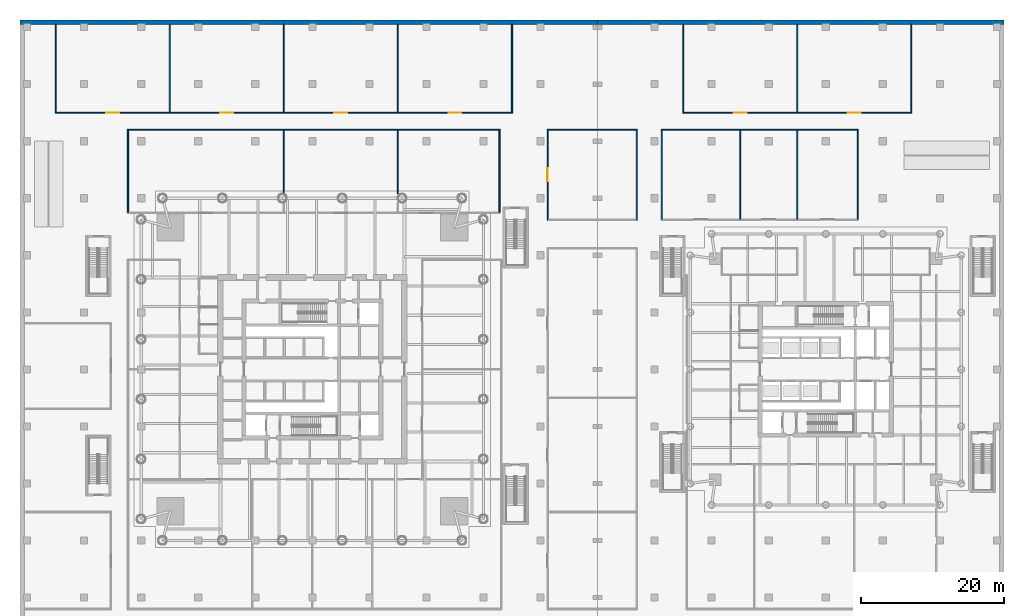
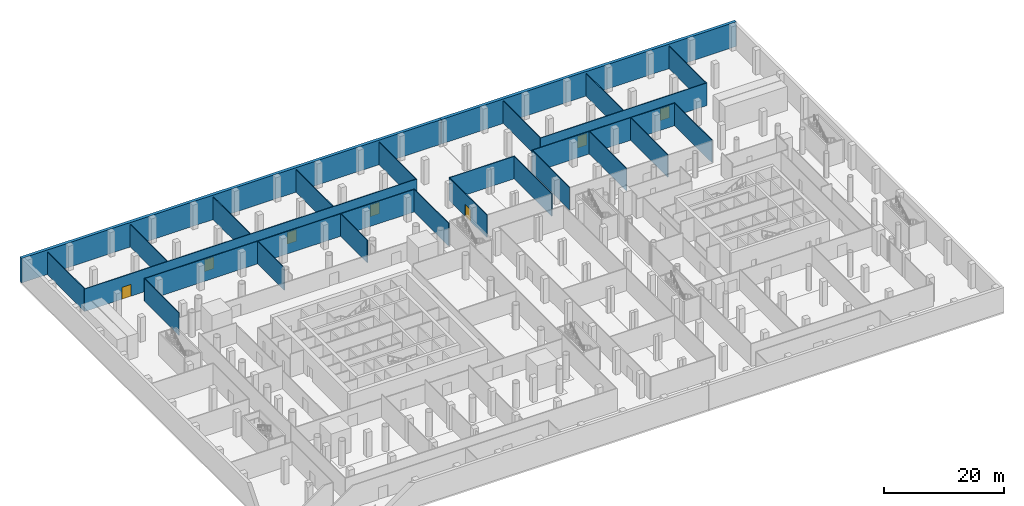
# One storey, part 15 of 22: 25 walls, 7 doors, 7 openings.
"""IFC4 building model written with IfcOpenShell, lengths in metres."""

from ifc_helpers import new_model, si_unit, direction, frame, frame_2d, origin, place, context, subcontext, project, spatial, rectangle, extrude, material, layer, layer_set, type_object, element, fill, save


model = new_model("IFC4")

# Units and contexts
model_context = context("Model", 3, precision=1e-05, world=origin(), true_north=direction((0.0, 1.0)))
body_context = subcontext(model_context, "Body", "Model", "MODEL_VIEW")
ifc_project = project(units=[si_unit("LENGTHUNIT", "METRE"), si_unit("AREAUNIT", "SQUARE_METRE"), si_unit("VOLUMEUNIT", "CUBIC_METRE"), si_unit("PLANEANGLEUNIT", "RADIAN"), si_unit("MASSUNIT", "GRAM", prefix="KILO")], contexts=[model_context])

# Site, building, storey
site_placement = place(None, origin())
site = spatial("IfcSite", under=ifc_project, at=site_placement, CompositionType="ELEMENT")
building_placement = place(site_placement, origin())
building = spatial("IfcBuilding", under=site, at=building_placement, Name="Ostroluk Exchange", CompositionType="ELEMENT")
storey_placement = place(building_placement, frame((0.0, 0.0, -5.0)))
storey = spatial("IfcBuildingStorey", under=building, at=storey_placement, Name="B1", CompositionType="ELEMENT", Elevation=-5.0)

# Walls
ifc_material_1 = material(Name="Concrete C35/45", Category="concrete")
ifc_layer_1 = layer(ifc_material_1, 0.60009765625)
ifc_layer_set_1 = layer_set([ifc_layer_1], Name="Basement retaining wall 600")
wall_type_1 = type_object("IfcWallType", Name="Basement retaining wall 600", PredefinedType="USERDEFINED", material=ifc_layer_set_1)
wall_1_placement = place(storey_placement, frame((4.0, 94.699951171875, 0.0), z_axis=(0.0, 0.0, 1.0), x_axis=(1.0, 0.0, 0.0)))
element("IfcWall", 1, at=wall_1_placement, inside=storey, type_object=wall_type_1, Name="Retaining wall B1 NW", ObjectType="RETAINING WALL", PredefinedType="USERDEFINED", context=body_context, shape_type="SweptSolid", body=[
    extrude(rectangle(XDim=80.97509765625, YDim=0.60009765625, at=frame_2d((40.487548828125, 0.0))), origin(), (0.0, 0.0, 1.0), 5.0),
])
wall_2_placement = place(storey_placement, frame((85.02490234375, 94.699951171875, 0.0), z_axis=(0.0, 0.0, 1.0), x_axis=(1.0, 0.0, 0.0)))
element("IfcWall", 2, at=wall_2_placement, inside=storey, type_object=wall_type_1, Name="Retaining wall B1 NE", ObjectType="RETAINING WALL", PredefinedType="USERDEFINED", context=body_context, shape_type="SweptSolid", body=[
    extrude(rectangle(XDim=56.97509765625, YDim=0.60009765625, at=frame_2d((28.487548828125, 0.0))), origin(), (0.0, 0.0, 1.0), 5.0),
])

# Wall, openings, doors
ifc_material_2 = material(Name="Gypsum plasterboard partition", Category="gypsum")
ifc_layer_2 = layer(ifc_material_2, 0.14990234375)
ifc_layer_set_2 = layer_set([ifc_layer_2], Name="Plasterboard partition 150")
wall_type_2 = type_object("IfcWallType", Name="Plasterboard partition 150", PredefinedType="PARTITIONING", material=ifc_layer_set_2)
wall_3_placement = place(storey_placement, frame((8.925048828125, 82.0, 0.0), z_axis=(0.0, 0.0, 1.0), x_axis=(1.0, 0.0, 0.0)))
wall_3 = element("IfcWall", 3, at=wall_3_placement, inside=storey, type_object=wall_type_2, Name="Partition", PredefinedType="PARTITIONING", context=body_context, shape_type="SweptSolid", body=[
    extrude(rectangle(XDim=64.14990234375, YDim=0.14990234375, at=frame_2d((32.074951171875, 0.0))), origin(), (0.0, 0.0, 1.0), 4.60009765625),
])
opening_1_placement = place(wall_3_placement, frame((7.175048828125, 0.0, 0.0)))
opening_1 = element("IfcOpeningElement", 4, at=opening_1_placement, cuts=wall_3, Name="Opening D-04", PredefinedType="OPENING", context=body_context, shape_type="SweptSolid", body=[
    extrude(rectangle(XDim=1.800048828125, YDim=2.39990234375, at=frame_2d((0.89990234375, 1.199951171875))), frame((0.0, 0.0849609375, 0.0), z_axis=(0.0, -1.0, 0.0), x_axis=(1.0, 0.0, 0.0)), (0.0, 0.0, 1.0), 0.169921875),
])
opening_2_placement = place(wall_3_placement, frame((23.175048828125, 0.0, 0.0)))
opening_2 = element("IfcOpeningElement", 5, at=opening_2_placement, cuts=wall_3, Name="Opening D-04", PredefinedType="OPENING", context=body_context, shape_type="SweptSolid", body=[
    extrude(rectangle(XDim=1.800048828125, YDim=2.39990234375, at=frame_2d((0.89990234375, 1.199951171875))), frame((0.0, 0.0849609375, 0.0), z_axis=(0.0, -1.0, 0.0), x_axis=(1.0, 0.0, 0.0)), (0.0, 0.0, 1.0), 0.169921875),
])
opening_3_placement = place(wall_3_placement, frame((39.175048828125, 0.0, 0.0)))
opening_3 = element("IfcOpeningElement", 6, at=opening_3_placement, cuts=wall_3, Name="Opening D-04", PredefinedType="OPENING", context=body_context, shape_type="SweptSolid", body=[
    extrude(rectangle(XDim=1.800048828125, YDim=2.39990234375, at=frame_2d((0.89990234375, 1.199951171875))), frame((0.0, 0.0849609375, 0.0), z_axis=(0.0, -1.0, 0.0), x_axis=(1.0, 0.0, 0.0)), (0.0, 0.0, 1.0), 0.169921875),
])
opening_4_placement = place(wall_3_placement, frame((55.175048828125, 0.0, 0.0)))
opening_4 = element("IfcOpeningElement", 7, at=opening_4_placement, cuts=wall_3, Name="Opening D-04", PredefinedType="OPENING", context=body_context, shape_type="SweptSolid", body=[
    extrude(rectangle(XDim=1.800048828125, YDim=2.39990234375, at=frame_2d((0.89990234375, 1.199951171875))), frame((0.0, 0.0849609375, 0.0), z_axis=(0.0, -1.0, 0.0), x_axis=(1.0, 0.0, 0.0)), (0.0, 0.0, 1.0), 0.169921875),
])
ifc_material_3 = material(Name="Timber", Category="wood")
door_type = type_object("IfcDoorType", Name="Double door 1800 x 2400", OperationType="DOUBLE_DOOR_SINGLE_SWING", PredefinedType="DOOR", material=ifc_material_3)
door_1_placement = place(opening_1_placement, origin())
door_1 = element("IfcDoor", 8, at=door_1_placement, inside=storey, type_object=door_type, Name="Retail unit door", OperationType="DOUBLE_DOOR_SINGLE_SWING", OverallHeight=2.39990234375, OverallWidth=1.800048828125, PredefinedType="DOOR", context=body_context, shape_type="SweptSolid", body=[
    extrude(rectangle(XDim=1.800048828125, YDim=2.39990234375, at=frame_2d((0.89990234375, 1.199951171875))), frame((0.0, 0.02490234375, 0.0), z_axis=(0.0, -1.0, 0.0), x_axis=(1.0, 0.0, 0.0)), (0.0, 0.0, 1.0), 0.050048828125),
])
fill(opening_1, door_1)
door_2_placement = place(opening_2_placement, origin())
door_2 = element("IfcDoor", 9, at=door_2_placement, inside=storey, type_object=door_type, Name="Retail unit door", OperationType="DOUBLE_DOOR_SINGLE_SWING", OverallHeight=2.39990234375, OverallWidth=1.800048828125, PredefinedType="DOOR", context=body_context, shape_type="SweptSolid", body=[
    extrude(rectangle(XDim=1.800048828125, YDim=2.39990234375, at=frame_2d((0.89990234375, 1.199951171875))), frame((0.0, 0.02490234375, 0.0), z_axis=(0.0, -1.0, 0.0), x_axis=(1.0, 0.0, 0.0)), (0.0, 0.0, 1.0), 0.050048828125),
])
fill(opening_2, door_2)
door_3_placement = place(opening_3_placement, origin())
door_3 = element("IfcDoor", 10, at=door_3_placement, inside=storey, type_object=door_type, Name="Retail unit door", OperationType="DOUBLE_DOOR_SINGLE_SWING", OverallHeight=2.39990234375, OverallWidth=1.800048828125, PredefinedType="DOOR", context=body_context, shape_type="SweptSolid", body=[
    extrude(rectangle(XDim=1.800048828125, YDim=2.39990234375, at=frame_2d((0.89990234375, 1.199951171875))), frame((0.0, 0.02490234375, 0.0), z_axis=(0.0, -1.0, 0.0), x_axis=(1.0, 0.0, 0.0)), (0.0, 0.0, 1.0), 0.050048828125),
])
fill(opening_3, door_3)
door_4_placement = place(opening_4_placement, origin())
door_4 = element("IfcDoor", 11, at=door_4_placement, inside=storey, type_object=door_type, Name="Retail unit door", OperationType="DOUBLE_DOOR_SINGLE_SWING", OverallHeight=2.39990234375, OverallWidth=1.800048828125, PredefinedType="DOOR", context=body_context, shape_type="SweptSolid", body=[
    extrude(rectangle(XDim=1.800048828125, YDim=2.39990234375, at=frame_2d((0.89990234375, 1.199951171875))), frame((0.0, 0.02490234375, 0.0), z_axis=(0.0, -1.0, 0.0), x_axis=(1.0, 0.0, 0.0)), (0.0, 0.0, 1.0), 0.050048828125),
])
fill(opening_4, door_4)

# Walls
for number, where, z_axis, x_axis, name in (
    (12, (9.0, 82.074951171875, 0.0), (0.0, 0.0, 1.0), (0.0, 1.0, 0.0), "Partition"),
    (13, (25.0, 82.074951171875, 0.0), (0.0, 0.0, 1.0), (0.0, 1.0, 0.0), "Partition"),
    (14, (41.0, 82.074951171875, 0.0), (0.0, 0.0, 1.0), (0.0, 1.0, 0.0), "Partition"),
    (15, (57.0, 82.074951171875, 0.0), (0.0, 0.0, 1.0), (0.0, 1.0, 0.0), "Partition"),
    (16, (73.0, 82.074951171875, 0.0), (0.0, 0.0, 1.0), (0.0, 1.0, 0.0), "Partition"),
):
    element("IfcWall", number, at=place(storey_placement, frame(where, z_axis=z_axis, x_axis=x_axis)), inside=storey, type_object=wall_type_2, Name=name, PredefinedType="PARTITIONING", context=body_context, shape_type="SweptSolid", body=[
        extrude(rectangle(XDim=12.324951171875, YDim=0.14990234375, at=frame_2d((6.16259765625, 0.0))), origin(), (0.0, 0.0, 1.0), 4.60009765625),
    ])

# Wall, openings, doors
wall_4_placement = place(storey_placement, frame((96.925048828125, 82.0, 0.0), z_axis=(0.0, 0.0, 1.0), x_axis=(1.0, 0.0, 0.0)))
wall_4 = element("IfcWall", 17, at=wall_4_placement, inside=storey, type_object=wall_type_2, Name="Partition", PredefinedType="PARTITIONING", context=body_context, shape_type="SweptSolid", body=[
    extrude(rectangle(XDim=32.14990234375, YDim=0.14990234375, at=frame_2d((16.074951171875, 0.0))), origin(), (0.0, 0.0, 1.0), 4.60009765625),
])
opening_5_placement = place(wall_4_placement, frame((7.175048828125, 0.0, 0.0)))
opening_5 = element("IfcOpeningElement", 18, at=opening_5_placement, cuts=wall_4, Name="Opening D-04", PredefinedType="OPENING", context=body_context, shape_type="SweptSolid", body=[
    extrude(rectangle(XDim=1.800048828125, YDim=2.39990234375, at=frame_2d((0.89990234375, 1.199951171875))), frame((0.0, 0.0849609375, 0.0), z_axis=(0.0, -1.0, 0.0), x_axis=(1.0, 0.0, 0.0)), (0.0, 0.0, 1.0), 0.169921875),
])
opening_6_placement = place(wall_4_placement, frame((23.175048828125, 0.0, 0.0)))
opening_6 = element("IfcOpeningElement", 19, at=opening_6_placement, cuts=wall_4, Name="Opening D-04", PredefinedType="OPENING", context=body_context, shape_type="SweptSolid", body=[
    extrude(rectangle(XDim=1.800048828125, YDim=2.39990234375, at=frame_2d((0.89990234375, 1.199951171875))), frame((0.0, 0.0849609375, 0.0), z_axis=(0.0, -1.0, 0.0), x_axis=(1.0, 0.0, 0.0)), (0.0, 0.0, 1.0), 0.169921875),
])
door_5_placement = place(opening_5_placement, origin())
door_5 = element("IfcDoor", 20, at=door_5_placement, inside=storey, type_object=door_type, Name="Retail unit door", OperationType="DOUBLE_DOOR_SINGLE_SWING", OverallHeight=2.39990234375, OverallWidth=1.800048828125, PredefinedType="DOOR", context=body_context, shape_type="SweptSolid", body=[
    extrude(rectangle(XDim=1.800048828125, YDim=2.39990234375, at=frame_2d((0.89990234375, 1.199951171875))), frame((0.0, 0.02490234375, 0.0), z_axis=(0.0, -1.0, 0.0), x_axis=(1.0, 0.0, 0.0)), (0.0, 0.0, 1.0), 0.050048828125),
])
fill(opening_5, door_5)
door_6_placement = place(opening_6_placement, origin())
door_6 = element("IfcDoor", 21, at=door_6_placement, inside=storey, type_object=door_type, Name="Retail unit door", OperationType="DOUBLE_DOOR_SINGLE_SWING", OverallHeight=2.39990234375, OverallWidth=1.800048828125, PredefinedType="DOOR", context=body_context, shape_type="SweptSolid", body=[
    extrude(rectangle(XDim=1.800048828125, YDim=2.39990234375, at=frame_2d((0.89990234375, 1.199951171875))), frame((0.0, 0.02490234375, 0.0), z_axis=(0.0, -1.0, 0.0), x_axis=(1.0, 0.0, 0.0)), (0.0, 0.0, 1.0), 0.050048828125),
])
fill(opening_6, door_6)

# Walls
for number, where, z_axis, x_axis, name in (
    (22, (97.0, 82.074951171875, 0.0), (0.0, 0.0, 1.0), (0.0, 1.0, 0.0), "Partition"),
    (23, (113.0, 82.074951171875, 0.0), (0.0, 0.0, 1.0), (0.0, 1.0, 0.0), "Partition"),
    (24, (129.0, 82.074951171875, 0.0), (0.0, 0.0, 1.0), (0.0, 1.0, 0.0), "Partition"),
):
    element("IfcWall", number, at=place(storey_placement, frame(where, z_axis=z_axis, x_axis=x_axis)), inside=storey, type_object=wall_type_2, Name=name, PredefinedType="PARTITIONING", context=body_context, shape_type="SweptSolid", body=[
        extrude(rectangle(XDim=12.324951171875, YDim=0.14990234375, at=frame_2d((6.16259765625, 0.0))), origin(), (0.0, 0.0, 1.0), 4.60009765625),
    ])
wall_5_placement = place(storey_placement, frame((19.074951171875, 79.60009765625, 0.0), z_axis=(0.0, 0.0, 1.0), x_axis=(1.0, 0.0, 0.0)))
element("IfcWall", 25, at=wall_5_placement, inside=storey, type_object=wall_type_2, Name="Partition", PredefinedType="PARTITIONING", context=body_context, shape_type="SweptSolid", body=[
    extrude(rectangle(XDim=52.25, YDim=0.14990234375, at=frame_2d((26.125, 0.0))), origin(), (0.0, 0.0, 1.0), 4.60009765625),
])
for number, where, z_axis, x_axis, name in (
    (26, (19.14990234375, 68.02490234375, 0.0), (0.0, 0.0, 1.0), (0.0, 1.0, 0.0), "Partition"),
    (27, (71.25, 68.02490234375, 0.0), (0.0, 0.0, 1.0), (0.0, 1.0, 0.0), "Partition"),
):
    element("IfcWall", number, at=place(storey_placement, frame(where, z_axis=z_axis, x_axis=x_axis)), inside=storey, type_object=wall_type_2, Name=name, PredefinedType="PARTITIONING", context=body_context, shape_type="SweptSolid", body=[
        extrude(rectangle(XDim=11.5, YDim=0.14990234375, at=frame_2d((5.75, 0.0))), origin(), (0.0, 0.0, 1.0), 4.60009765625),
    ])
for number, where, z_axis, x_axis, name in (
    (28, (41.0, 70.609619140625, 0.0), (0.0, 0.0, 1.0), (0.0, 1.0, 0.0), "Partition"),
    (29, (57.0, 70.609619140625, 0.0), (0.0, 0.0, 1.0), (0.0, 1.0, 0.0), "Partition"),
):
    element("IfcWall", number, at=place(storey_placement, frame(where, z_axis=z_axis, x_axis=x_axis)), inside=storey, type_object=wall_type_2, Name=name, PredefinedType="PARTITIONING", context=body_context, shape_type="SweptSolid", body=[
        extrude(rectangle(XDim=8.915283203125, YDim=0.14990234375, at=frame_2d((4.45751953125, 0.0))), origin(), (0.0, 0.0, 1.0), 4.60009765625),
    ])

# Wall, opening, door
wall_6_placement = place(storey_placement, frame((78.0, 66.925048828125, 0.0), z_axis=(0.0, 0.0, 1.0), x_axis=(0.0, 1.0, 0.0)))
wall_6 = element("IfcWall", 30, at=wall_6_placement, inside=storey, type_object=wall_type_2, Name="Partition", PredefinedType="PARTITIONING", context=body_context, shape_type="SweptSolid", body=[
    extrude(rectangle(XDim=12.75, YDim=0.14990234375, at=frame_2d((6.375, 0.0))), origin(), (0.0, 0.0, 1.0), 4.60009765625),
])
opening_7_placement = place(wall_6_placement, frame((5.47509765625, 0.0, 0.0)))
opening_7 = element("IfcOpeningElement", 31, at=opening_7_placement, cuts=wall_6, Name="Opening D-04", PredefinedType="OPENING", context=body_context, shape_type="SweptSolid", body=[
    extrude(rectangle(XDim=1.800048828125, YDim=2.39990234375, at=frame_2d((0.89990234375, 1.199951171875))), frame((0.0, 0.0849609375, 0.0), z_axis=(0.0, -1.0, 0.0), x_axis=(1.0, 0.0, 0.0)), (0.0, 0.0, 1.0), 0.169921875),
])
door_7_placement = place(opening_7_placement, origin())
door_7 = element("IfcDoor", 32, at=door_7_placement, inside=storey, type_object=door_type, Name="Travel centre door", OperationType="DOUBLE_DOOR_SINGLE_SWING", OverallHeight=2.39990234375, OverallWidth=1.800048828125, PredefinedType="DOOR", context=body_context, shape_type="SweptSolid", body=[
    extrude(rectangle(XDim=1.800048828125, YDim=2.39990234375, at=frame_2d((0.89990234375, 1.199951171875))), frame((0.0, 0.02490234375, 0.0), z_axis=(0.0, -1.0, 0.0), x_axis=(1.0, 0.0, 0.0)), (0.0, 0.0, 1.0), 0.050048828125),
])
fill(opening_7, door_7)

# Walls
wall_7_placement = place(storey_placement, frame((90.5, 66.925048828125, 0.0), z_axis=(0.0, 0.0, 1.0), x_axis=(0.0, 1.0, 0.0)))
element("IfcWall", 33, at=wall_7_placement, inside=storey, type_object=wall_type_2, Name="Partition", PredefinedType="PARTITIONING", context=body_context, shape_type="SweptSolid", body=[
    extrude(rectangle(XDim=12.75, YDim=0.14990234375, at=frame_2d((6.375, 0.0))), origin(), (0.0, 0.0, 1.0), 4.60009765625),
])
wall_8_placement = place(storey_placement, frame((78.074951171875, 79.60009765625, 0.0), z_axis=(0.0, 0.0, 1.0), x_axis=(1.0, 0.0, 0.0)))
element("IfcWall", 34, at=wall_8_placement, inside=storey, type_object=wall_type_2, Name="Partition", PredefinedType="PARTITIONING", context=body_context, shape_type="SweptSolid", body=[
    extrude(rectangle(XDim=12.35009765625, YDim=0.14990234375, at=frame_2d((6.175048828125, 0.0))), origin(), (0.0, 0.0, 1.0), 4.60009765625),
])
wall_9_placement = place(storey_placement, frame((93.925048828125, 79.60009765625, 0.0), z_axis=(0.0, 0.0, 1.0), x_axis=(1.0, 0.0, 0.0)))
element("IfcWall", 35, at=wall_9_placement, inside=storey, type_object=wall_type_2, Name="Partition", PredefinedType="PARTITIONING", context=body_context, shape_type="SweptSolid", body=[
    extrude(rectangle(XDim=27.64990234375, YDim=0.14990234375, at=frame_2d((13.824951171875, 0.0))), origin(), (0.0, 0.0, 1.0), 4.60009765625),
])
for number, where, z_axis, x_axis, name in (
    (36, (94.0, 67.074951171875, 0.0), (0.0, 0.0, 1.0), (0.0, 1.0, 0.0), "Partition"),
    (37, (121.5, 67.074951171875, 0.0), (0.0, 0.0, 1.0), (0.0, 1.0, 0.0), "Partition"),
    (38, (105.0, 67.074951171875, 0.0), (0.0, 0.0, 1.0), (0.0, 1.0, 0.0), "Partition"),
    (39, (113.0, 67.074951171875, 0.0), (0.0, 0.0, 1.0), (0.0, 1.0, 0.0), "Partition"),
):
    element("IfcWall", number, at=place(storey_placement, frame(where, z_axis=z_axis, x_axis=x_axis)), inside=storey, type_object=wall_type_2, Name=name, PredefinedType="PARTITIONING", context=body_context, shape_type="SweptSolid", body=[
        extrude(rectangle(XDim=12.449951171875, YDim=0.14990234375, at=frame_2d((6.22509765625, 0.0))), origin(), (0.0, 0.0, 1.0), 4.60009765625),
    ])

save(model, "model.ifc")
